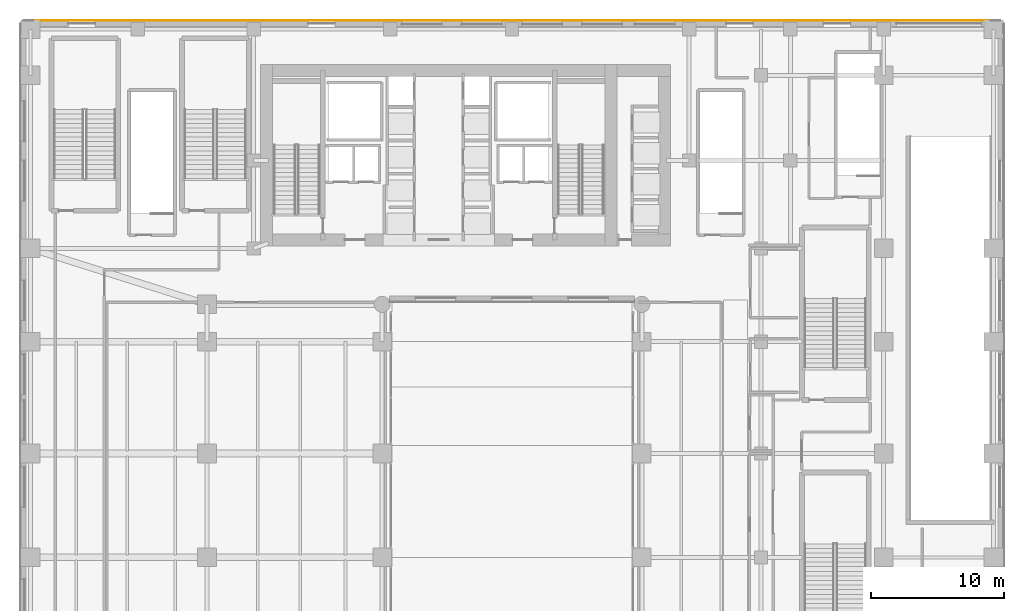
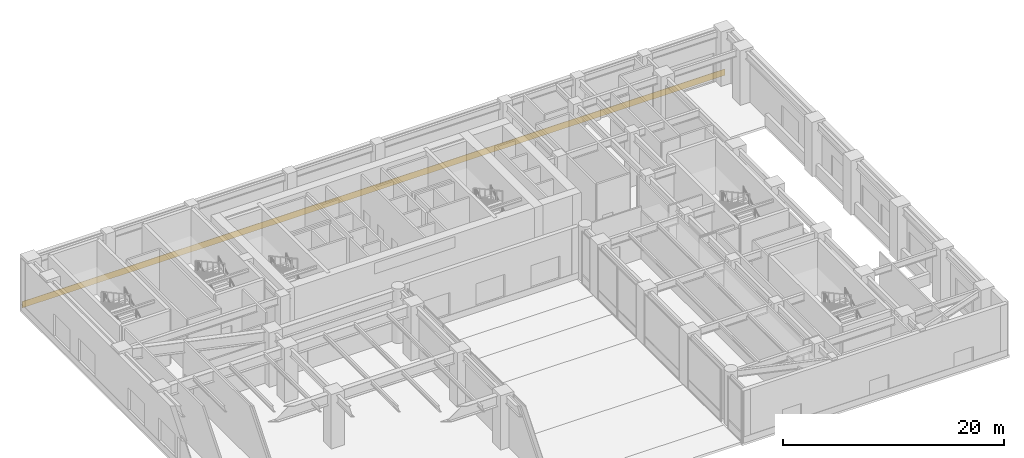
# One storey, part 26 of 28: 1 covering.
"""IFC4 building model written with IfcOpenShell, lengths in metres."""

from ifc_helpers import new_model, si_unit, direction, origin, place, context, subcontext, project, spatial, polyline, outline, extrude, material, layer, layer_set, type_object, element, save


model = new_model("IFC4")

# Units and contexts
model_context = context("Model", 3, precision=1e-05, world=origin(), true_north=direction((0.0, 1.0)))
body_context = subcontext(model_context, "Body", "Model", "MODEL_VIEW")
ifc_project = project(units=[si_unit("LENGTHUNIT", "METRE"), si_unit("AREAUNIT", "SQUARE_METRE"), si_unit("VOLUMEUNIT", "CUBIC_METRE"), si_unit("PLANEANGLEUNIT", "RADIAN"), si_unit("MASSUNIT", "GRAM", prefix="KILO")], contexts=[model_context])

# Site, building, storey
site_placement = place(None, origin())
site = spatial("IfcSite", under=ifc_project, at=site_placement, CompositionType="ELEMENT")
building_placement = place(site_placement, origin())
building = spatial("IfcBuilding", under=site, at=building_placement, Name="Tolvann Quenvar Hotel", CompositionType="ELEMENT")
storey_placement = place(building_placement, origin())
storey = spatial("IfcBuildingStorey", under=building, at=storey_placement, Name="L00", CompositionType="ELEMENT", Elevation=0.0)

# Covering
ifc_material = material(Name="Moulded buff architectural terracotta spandrel cladding", Category="masonry")
ifc_layer = layer(ifc_material, 0.0400390625)
ifc_layer_set = layer_set([ifc_layer], Name="Moulded buff architectural terracotta spandrel cladding")
covering_type = type_object("IfcCoveringType", Name="COV_CLAD_TERRA_40", PredefinedType="CLADDING", material=ifc_layer_set)
covering_placement = place(storey_placement, origin())
element("IfcCovering", 1, at=covering_placement, inside=storey, type_object=covering_type, Name="Terracotta Spandrel Cladding (L00-E06)", PredefinedType="CLADDING", context=body_context, shape_type="SweptSolid", body=[
    extrude(outline(polyline([(65.14990234375, 48.5), (-8.14990234375, 48.5), (-8.14990234375, 48.5400390625), (65.14990234375, 48.5400390625), (65.14990234375, 48.5)])), origin(), (0.0, 0.0, 1.0), 0.699951171875),
])

save(model, "model.ifc")
